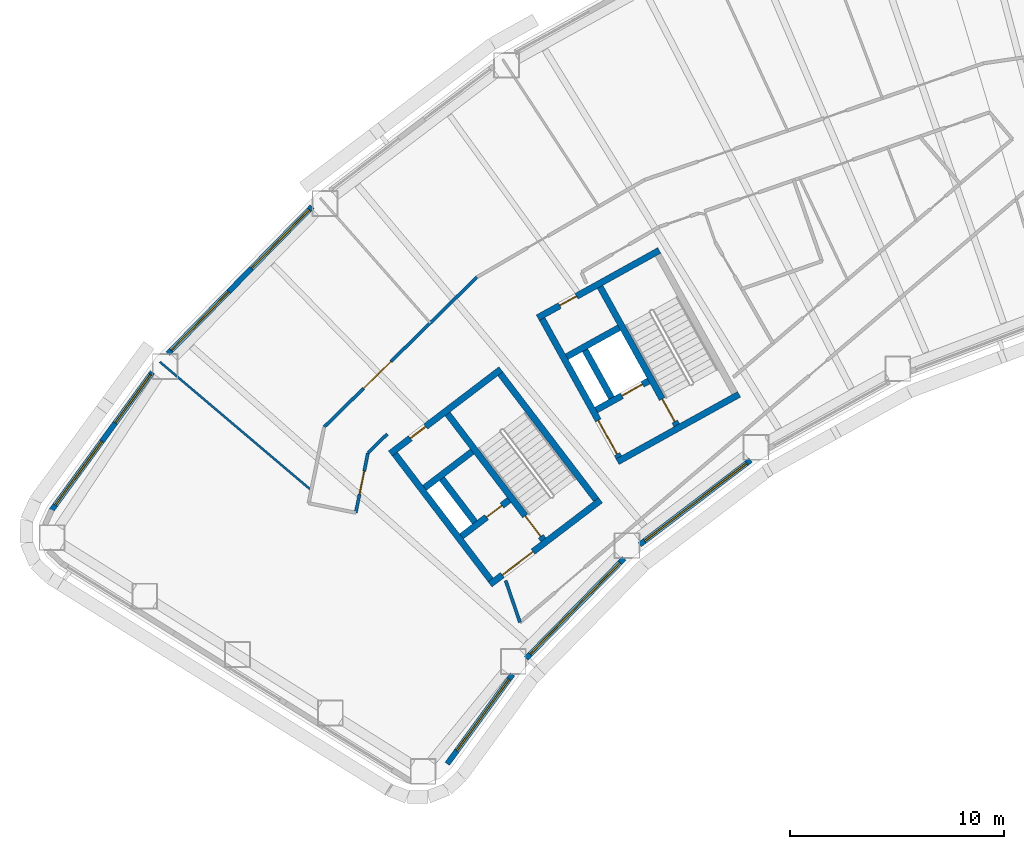
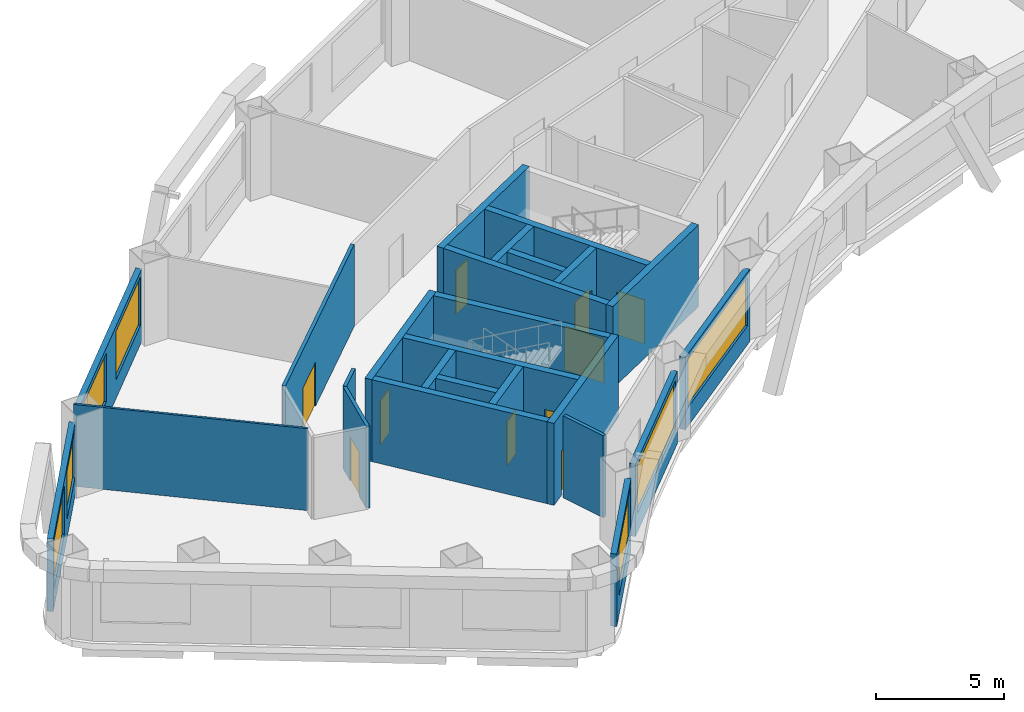
# One storey, part 3 of 15: 25 walls, 10 doors, 7 windows, 17 openings.
"""IFC4 building model written with IfcOpenShell, lengths in metres."""

from ifc_helpers import new_model, si_unit, direction, frame, frame_2d, origin, place, context, subcontext, project, spatial, rectangle, extrude, material, layer, layer_set, type_object, element, fill, save


model = new_model("IFC4")

# Units and contexts
model_context = context("Model", 3, precision=1e-05, world=origin(), true_north=direction((0.0, 1.0)))
body_context = subcontext(model_context, "Body", "Model", "MODEL_VIEW")
ifc_project = project(units=[si_unit("LENGTHUNIT", "METRE"), si_unit("AREAUNIT", "SQUARE_METRE"), si_unit("VOLUMEUNIT", "CUBIC_METRE"), si_unit("PLANEANGLEUNIT", "RADIAN"), si_unit("MASSUNIT", "GRAM", prefix="KILO")], contexts=[model_context])

# Site, building, storey
site_placement = place(None, origin())
site = spatial("IfcSite", under=ifc_project, at=site_placement, CompositionType="ELEMENT")
building_placement = place(site_placement, origin())
building = spatial("IfcBuilding", under=site, at=building_placement, Name="Tuul Gate Civic Tower", CompositionType="ELEMENT")
storey_placement = place(building_placement, frame((0.0, 0.0, 78.0)))
storey = spatial("IfcBuildingStorey", under=building, at=storey_placement, Name="Level 17", CompositionType="ELEMENT", Elevation=78.0)

# Wall, opening, door
ifc_material_1 = material(Name="Concrete C50/60", Category="concrete")
ifc_layer_1 = layer(ifc_material_1, 0.300048828125)
ifc_layer_set_1 = layer_set([ifc_layer_1], Name="Concrete C50/60")
wall_type_1 = type_object("IfcWallType", Name="Core wall C50/60", PredefinedType="SHEAR", material=ifc_layer_set_1)
wall_1_placement = place(storey_placement, frame((-31.19091796875, -13.669677734375, 0.0), z_axis=(0.0, 0.0, 1.0), x_axis=(-0.795606717756, -0.605813461934, 0.0)))
wall_1 = element("IfcWall", 1, at=wall_1_placement, inside=storey, type_object=wall_type_1, Name="Core wall", PredefinedType="SHEAR", context=body_context, shape_type="SweptSolid", body=[
    extrude(rectangle(XDim=6.5, YDim=0.300048828125, at=frame_2d((3.25, 0.0))), origin(), (0.0, 0.0, 1.0), 3.89990234375),
])
opening_1_placement = place(wall_1_placement, frame((3.97509765625, 0.0, 0.0)))
opening_1 = element("IfcOpeningElement", 2, at=opening_1_placement, cuts=wall_1, Name="Opening LB-W1-LOBBY-1", PredefinedType="OPENING", context=body_context, shape_type="SweptSolid", body=[
    extrude(rectangle(XDim=1.800048828125, YDim=2.10009765625, at=frame_2d((0.89990234375, 1.050048828125))), frame((0.0, 0.16015625, 0.0), z_axis=(0.0, -1.0, 0.0), x_axis=(1.0, 0.0, 0.0)), (0.0, 0.0, 1.0), 0.320068359375),
])
ifc_material_2 = material(Name="Steel", Category="steel")
door_type_1 = type_object("IfcDoorType", Name="Lobby door", OperationType="DOUBLE_DOOR_SINGLE_SWING", PredefinedType="DOOR", material=ifc_material_2)
door_1_placement = place(opening_1_placement, origin())
door_1 = element("IfcDoor", 3, at=door_1_placement, inside=storey, type_object=door_type_1, Name="Lobby door W1-LOBBY", OperationType="DOUBLE_DOOR_SINGLE_SWING", OverallHeight=2.10009765625, OverallWidth=1.800048828125, PredefinedType="DOOR", context=body_context, shape_type="SweptSolid", body=[
    extrude(rectangle(XDim=1.800048828125, YDim=2.10009765625, at=frame_2d((0.89990234375, 1.050048828125))), frame((0.0, 0.02490234375, 0.0), z_axis=(0.0, -1.0, 0.0), x_axis=(1.0, 0.0, 0.0)), (0.0, 0.0, 1.0), 0.050048828125),
])
fill(opening_1, door_1)

wall_2_placement = place(storey_placement, frame((-35.470947265625, -13.66064453125, 0.0), z_axis=(0.0, 0.0, 1.0), x_axis=(-0.795615822227, -0.605801504968, 0.0)))
wall_2 = element("IfcWall", 4, at=wall_2_placement, inside=storey, type_object=wall_type_1, Name="Core wall", PredefinedType="SHEAR", context=body_context, shape_type="SweptSolid", body=[
    extrude(rectangle(XDim=2.800048828125, YDim=0.300048828125, at=frame_2d((1.39990234375, 0.0))), origin(), (0.0, 0.0, 1.0), 3.89990234375),
])
opening_2_placement = place(wall_2_placement, frame((0.425048828125, 0.0, 0.0)))
opening_2 = element("IfcOpeningElement", 5, at=opening_2_placement, cuts=wall_2, Name="Opening FB-W1A1", PredefinedType="OPENING", context=body_context, shape_type="SweptSolid", body=[
    extrude(rectangle(XDim=0.89990234375, YDim=2.10009765625, at=frame_2d((0.449951171875, 1.050048828125))), frame((0.0, 0.16015625, 0.0), z_axis=(0.0, -1.0, 0.0), x_axis=(1.0, 0.0, 0.0)), (0.0, 0.0, 1.0), 0.320068359375),
])
ifc_material_3 = material(Name="Steel", Category="steel")
door_type_2 = type_object("IfcDoorType", Name="Store door", OperationType="NOTDEFINED", PredefinedType="DOOR", material=ifc_material_3)
door_2_placement = place(opening_2_placement, frame((0.89990234375, 0.0, 0.0), z_axis=(0.0, 0.0, 1.0), x_axis=(-1.0, 0.0, 0.0)))
door_2 = element("IfcDoor", 6, at=door_2_placement, inside=storey, type_object=door_type_2, Name="Store door W1A1", OperationType="SINGLE_SWING_RIGHT", OverallHeight=2.10009765625, OverallWidth=0.89990234375, PredefinedType="DOOR", context=body_context, shape_type="SweptSolid", body=[
    extrude(rectangle(XDim=0.89990234375, YDim=2.10009765625, at=frame_2d((0.449951171875, 1.050048828125))), frame((0.0, 0.02490234375, 0.0), z_axis=(0.0, -1.0, 0.0), x_axis=(1.0, 0.0, 0.0)), (0.0, 0.0, 1.0), 0.050048828125),
])
fill(opening_2, door_2)

# Wall
wall_3_placement = place(storey_placement, frame((-37.197509765625, -11.39306640625, 0.0), z_axis=(0.0, 0.0, 1.0), x_axis=(-0.795583820278, -0.605843531707, 0.0)))
element("IfcWall", 7, at=wall_3_placement, inside=storey, type_object=wall_type_1, Name="Core wall", PredefinedType="SHEAR", context=body_context, shape_type="SweptSolid", body=[
    extrude(rectangle(XDim=2.7998046875, YDim=0.300048828125, at=frame_2d((1.39990234375, 0.0))), origin(), (0.0, 0.0, 1.0), 3.89990234375),
])

# Wall, opening, door
wall_4_placement = place(storey_placement, frame((-35.855224609375, -7.543212890625, 0.0), z_axis=(0.0, 0.0, 1.0), x_axis=(-0.79563860527, -0.605771582202, 0.0)))
wall_4 = element("IfcWall", 8, at=wall_4_placement, inside=storey, type_object=wall_type_1, Name="Core wall", PredefinedType="SHEAR", context=body_context, shape_type="SweptSolid", body=[
    extrude(rectangle(XDim=6.5, YDim=0.300048828125, at=frame_2d((3.25, 0.0))), origin(), (0.0, 0.0, 1.0), 3.89990234375),
])
opening_3_placement = place(wall_4_placement, frame((4.425048828125, 0.0, 0.0)))
opening_3 = element("IfcOpeningElement", 9, at=opening_3_placement, cuts=wall_4, Name="Opening E-D36", PredefinedType="OPENING", context=body_context, shape_type="SweptSolid", body=[
    extrude(rectangle(XDim=0.89990234375, YDim=2.10009765625, at=frame_2d((0.449951171875, 1.050048828125))), frame((0.0, 0.16015625, 0.0), z_axis=(0.0, -1.0, 0.0), x_axis=(1.0, 0.0, 0.0)), (0.0, 0.0, 1.0), 0.320068359375),
])
ifc_material_4 = material(Name="Timber door leaf", Category="wood")
door_type_3 = type_object("IfcDoorType", Name="Door D09", OperationType="NOTDEFINED", PredefinedType="DOOR", material=ifc_material_4)
door_3_placement = place(opening_3_placement, origin())
door_3 = element("IfcDoor", 10, at=door_3_placement, inside=storey, type_object=door_type_3, Name="Door E-D36", OperationType="SINGLE_SWING_LEFT", OverallHeight=2.10009765625, OverallWidth=0.89990234375, PredefinedType="DOOR", context=body_context, shape_type="SweptSolid", body=[
    extrude(rectangle(XDim=0.89990234375, YDim=2.10009765625, at=frame_2d((0.449951171875, 1.050048828125))), frame((0.0, 0.02490234375, 0.0), z_axis=(0.0, -1.0, 0.0), x_axis=(1.0, 0.0, 0.0)), (0.0, 0.0, 1.0), 0.050048828125),
])
fill(opening_3, door_3)

# Wall
wall_5_placement = place(storey_placement, frame((-31.401123046875, -13.64111328125, 0.0), z_axis=(0.0, 0.0, 1.0), x_axis=(-0.605769822278, 0.795639945213, 0.0)))
element("IfcWall", 11, at=wall_5_placement, inside=storey, type_object=wall_type_1, Name="Core wall", PredefinedType="SHEAR", context=body_context, shape_type="SweptSolid", body=[
    extrude(rectangle(XDim=7.39990234375, YDim=0.300048828125, at=frame_2d((3.699951171875, 0.0))), origin(), (0.0, 0.0, 1.0), 3.89990234375),
])

# Wall, opening, door
wall_6_placement = place(storey_placement, frame((-33.867431640625, -15.51904296875, 0.0), z_axis=(0.0, 0.0, 1.0), x_axis=(-0.605769822278, 0.795639945213, 0.0)))
wall_6 = element("IfcWall", 12, at=wall_6_placement, inside=storey, type_object=wall_type_1, Name="Core wall", PredefinedType="SHEAR", context=body_context, shape_type="SweptSolid", body=[
    extrude(rectangle(XDim=7.39990234375, YDim=0.300048828125, at=frame_2d((3.699951171875, 0.0))), origin(), (0.0, 0.0, 1.0), 3.89990234375),
])
opening_4_placement = place(wall_6_placement, frame((0.199951171875, 0.0, 0.0)))
opening_4 = element("IfcOpeningElement", 13, at=opening_4_placement, cuts=wall_6, Name="Opening SD-ST-1", PredefinedType="OPENING", context=body_context, shape_type="SweptSolid", body=[
    extrude(rectangle(XDim=1.199951171875, YDim=2.10009765625, at=frame_2d((0.60009765625, 1.050048828125))), frame((0.0, 0.16015625, 0.0), z_axis=(0.0, -1.0, 0.0), x_axis=(1.0, 0.0, 0.0)), (0.0, 0.0, 1.0), 0.320068359375),
])
ifc_material_5 = material(Name="Steel", Category="steel")
door_type_4 = type_object("IfcDoorType", Name="Stair door", OperationType="NOTDEFINED", PredefinedType="DOOR", material=ifc_material_5)
door_4_placement = place(opening_4_placement, origin())
door_4 = element("IfcDoor", 14, at=door_4_placement, inside=storey, type_object=door_type_4, Name="Stair door ST-1", OperationType="SINGLE_SWING_LEFT", OverallHeight=2.10009765625, OverallWidth=1.199951171875, PredefinedType="DOOR", context=body_context, shape_type="SweptSolid", body=[
    extrude(rectangle(XDim=1.199951171875, YDim=2.10009765625, at=frame_2d((0.60009765625, 1.050048828125))), frame((0.0, 0.02490234375, 0.0), z_axis=(0.0, -1.0, 0.0), x_axis=(1.0, 0.0, 0.0)), (0.0, 0.0, 1.0), 0.050048828125),
])
fill(opening_4, door_4)

# Walls
wall_7_placement = place(storey_placement, frame((-37.073486328125, -14.6923828125, 0.0), z_axis=(0.0, 0.0, 1.0), x_axis=(-0.605728760074, 0.79567120673, 0.0)))
element("IfcWall", 15, at=wall_7_placement, inside=storey, type_object=wall_type_1, Name="Core wall", PredefinedType="SHEAR", context=body_context, shape_type="SweptSolid", body=[
    extrude(rectangle(XDim=2.550048828125, YDim=0.300048828125, at=frame_2d((1.27490234375, 0.0))), origin(), (0.0, 0.0, 1.0), 3.89990234375),
])
wall_8_placement = place(storey_placement, frame((-36.333984375, -17.397216796875, 0.0), z_axis=(0.0, 0.0, 1.0), x_axis=(-0.605753921168, 0.795652051458, 0.0)))
element("IfcWall", 16, at=wall_8_placement, inside=storey, type_object=wall_type_1, Name="Core wall", PredefinedType="SHEAR", context=body_context, shape_type="SweptSolid", body=[
    extrude(rectangle(XDim=7.400146484375, YDim=0.300048828125, at=frame_2d((3.7001953125, 0.0))), origin(), (0.0, 0.0, 1.0), 3.89990234375),
])
wall_9_placement = place(storey_placement, frame((-24.711669921875, -8.7158203125, 0.0), z_axis=(0.0, 0.0, 1.0), x_axis=(-0.874629909008, -0.484791215132, 0.0)))
element("IfcWall", 17, at=wall_9_placement, inside=storey, type_object=wall_type_1, Name="Core wall", PredefinedType="SHEAR", context=body_context, shape_type="SweptSolid", body=[
    extrude(rectangle(XDim=6.5, YDim=0.300048828125, at=frame_2d((3.25, 0.0))), origin(), (0.0, 0.0, 1.0), 3.89990234375),
])

# Wall, opening, door
wall_10_placement = place(storey_placement, frame((-28.94580078125, -8.090087890625, 0.0), z_axis=(0.0, 0.0, 1.0), x_axis=(-0.874629840737, -0.484791338301, 0.0)))
wall_10 = element("IfcWall", 18, at=wall_10_placement, inside=storey, type_object=wall_type_1, Name="Core wall", PredefinedType="SHEAR", context=body_context, shape_type="SweptSolid", body=[
    extrude(rectangle(XDim=2.800048828125, YDim=0.300048828125, at=frame_2d((1.39990234375, 0.0))), origin(), (0.0, 0.0, 1.0), 3.89990234375),
])
opening_5_placement = place(wall_10_placement, frame((0.324951171875, 0.0, 0.0)))
opening_5 = element("IfcOpeningElement", 19, at=opening_5_placement, cuts=wall_10, Name="Opening LD-FF-1", PredefinedType="OPENING", context=body_context, shape_type="SweptSolid", body=[
    extrude(rectangle(XDim=1.10009765625, YDim=2.10009765625, at=frame_2d((0.550048828125, 1.050048828125))), frame((0.0, 0.16015625, 0.0), z_axis=(0.0, -1.0, 0.0), x_axis=(1.0, 0.0, 0.0)), (0.0, 0.0, 1.0), 0.320068359375),
])
ifc_material_6 = material(Name="Stainless steel", Category="steel")
door_type_5 = type_object("IfcDoorType", Name="Landing door", OperationType="DOUBLE_DOOR_SLIDING", PredefinedType="DOOR", material=ifc_material_6)
door_5_placement = place(opening_5_placement, origin())
door_5 = element("IfcDoor", 20, at=door_5_placement, inside=storey, type_object=door_type_5, Name="Fire-fighting lift FF-1 landing door", OperationType="DOUBLE_DOOR_SLIDING", OverallHeight=2.10009765625, OverallWidth=1.10009765625, PredefinedType="DOOR", context=body_context, shape_type="SweptSolid", body=[
    extrude(rectangle(XDim=1.10009765625, YDim=2.10009765625, at=frame_2d((0.550048828125, 1.050048828125))), frame((0.0, 0.02490234375, 0.0), z_axis=(0.0, -1.0, 0.0), x_axis=(1.0, 0.0, 0.0)), (0.0, 0.0, 1.0), 0.050048828125),
])
fill(opening_5, door_5)

# Wall
wall_11_placement = place(storey_placement, frame((-30.327392578125, -5.59716796875, 0.0), z_axis=(0.0, 0.0, 1.0), x_axis=(-0.874629840737, -0.484791338301, 0.0)))
element("IfcWall", 21, at=wall_11_placement, inside=storey, type_object=wall_type_1, Name="Core wall", PredefinedType="SHEAR", context=body_context, shape_type="SweptSolid", body=[
    extrude(rectangle(XDim=2.800048828125, YDim=0.300048828125, at=frame_2d((1.39990234375, 0.0))), origin(), (0.0, 0.0, 1.0), 3.89990234375),
])

# Wall, opening, door
wall_12_placement = place(storey_placement, frame((-28.4443359375, -1.98095703125, 0.0), z_axis=(0.0, 0.0, 1.0), x_axis=(-0.874629909008, -0.484791215132, 0.0)))
wall_12 = element("IfcWall", 22, at=wall_12_placement, inside=storey, type_object=wall_type_1, Name="Core wall", PredefinedType="SHEAR", context=body_context, shape_type="SweptSolid", body=[
    extrude(rectangle(XDim=6.5, YDim=0.300048828125, at=frame_2d((3.25, 0.0))), origin(), (0.0, 0.0, 1.0), 3.89990234375),
])
opening_6_placement = place(wall_12_placement, frame((4.425048828125, 0.0, 0.0)))
opening_6 = element("IfcOpeningElement", 23, at=opening_6_placement, cuts=wall_12, Name="Opening E-D37", PredefinedType="OPENING", context=body_context, shape_type="SweptSolid", body=[
    extrude(rectangle(XDim=0.89990234375, YDim=2.10009765625, at=frame_2d((0.449951171875, 1.050048828125))), frame((0.0, 0.16015625, 0.0), z_axis=(0.0, -1.0, 0.0), x_axis=(1.0, 0.0, 0.0)), (0.0, 0.0, 1.0), 0.320068359375),
])
door_6_placement = place(opening_6_placement, origin())
door_6 = element("IfcDoor", 24, at=door_6_placement, inside=storey, type_object=door_type_3, Name="Door E-D37", OperationType="SINGLE_SWING_LEFT", OverallHeight=2.10009765625, OverallWidth=0.89990234375, PredefinedType="DOOR", context=body_context, shape_type="SweptSolid", body=[
    extrude(rectangle(XDim=0.89990234375, YDim=2.10009765625, at=frame_2d((0.449951171875, 1.050048828125))), frame((0.0, 0.02490234375, 0.0), z_axis=(0.0, -1.0, 0.0), x_axis=(1.0, 0.0, 0.0)), (0.0, 0.0, 1.0), 0.050048828125),
])
fill(opening_6, door_6)

wall_13_placement = place(storey_placement, frame((-27.626953125, -10.16015625, 0.0), z_axis=(0.0, 0.0, 1.0), x_axis=(-0.484751894226, 0.874651702704, 0.0)))
wall_13 = element("IfcWall", 25, at=wall_13_placement, inside=storey, type_object=wall_type_1, Name="Core wall", PredefinedType="SHEAR", context=body_context, shape_type="SweptSolid", body=[
    extrude(rectangle(XDim=7.39990234375, YDim=0.300048828125, at=frame_2d((3.699951171875, 0.0))), origin(), (0.0, 0.0, 1.0), 3.89990234375),
])
opening_7_placement = place(wall_13_placement, frame((0.199951171875, 0.0, 0.0)))
opening_7 = element("IfcOpeningElement", 26, at=opening_7_placement, cuts=wall_13, Name="Opening SD-ST-2", PredefinedType="OPENING", context=body_context, shape_type="SweptSolid", body=[
    extrude(rectangle(XDim=1.199951171875, YDim=2.10009765625, at=frame_2d((0.60009765625, 1.050048828125))), frame((0.0, 0.16015625, 0.0), z_axis=(0.0, -1.0, 0.0), x_axis=(1.0, 0.0, 0.0)), (0.0, 0.0, 1.0), 0.320068359375),
])
door_7_placement = place(opening_7_placement, origin())
door_7 = element("IfcDoor", 27, at=door_7_placement, inside=storey, type_object=door_type_4, Name="Stair door ST-2", OperationType="SINGLE_SWING_LEFT", OverallHeight=2.10009765625, OverallWidth=1.199951171875, PredefinedType="DOOR", context=body_context, shape_type="SweptSolid", body=[
    extrude(rectangle(XDim=1.199951171875, YDim=2.10009765625, at=frame_2d((0.60009765625, 1.050048828125))), frame((0.0, 0.02490234375, 0.0), z_axis=(0.0, -1.0, 0.0), x_axis=(1.0, 0.0, 0.0)), (0.0, 0.0, 1.0), 0.050048828125),
])
fill(opening_7, door_7)

# Wall
wall_14_placement = place(storey_placement, frame((-30.680419921875, -8.8798828125, 0.0), z_axis=(0.0, 0.0, 1.0), x_axis=(-0.484724115216, 0.874667097888, 0.0)))
element("IfcWall", 28, at=wall_14_placement, inside=storey, type_object=wall_type_1, Name="Core wall", PredefinedType="SHEAR", context=body_context, shape_type="SweptSolid", body=[
    extrude(rectangle(XDim=2.550048828125, YDim=0.300048828125, at=frame_2d((1.27490234375, 0.0))), origin(), (0.0, 0.0, 1.0), 3.89990234375),
])

# Wall, opening, door
wall_15_placement = place(storey_placement, frame((-30.33837890625, -11.6630859375, 0.0), z_axis=(0.0, 0.0, 1.0), x_axis=(-0.484751894226, 0.874651702704, 0.0)))
wall_15 = element("IfcWall", 29, at=wall_15_placement, inside=storey, type_object=wall_type_1, Name="Core wall", PredefinedType="SHEAR", context=body_context, shape_type="SweptSolid", body=[
    extrude(rectangle(XDim=7.39990234375, YDim=0.300048828125, at=frame_2d((3.699951171875, 0.0))), origin(), (0.0, 0.0, 1.0), 3.89990234375),
])
opening_8_placement = place(wall_15_placement, frame((0.175048828125, 0.0, 0.0)))
opening_8 = element("IfcOpeningElement", 30, at=opening_8_placement, cuts=wall_15, Name="Opening LB-W2-FLOBBY-1", PredefinedType="OPENING", context=body_context, shape_type="SweptSolid", body=[
    extrude(rectangle(XDim=1.800048828125, YDim=2.10009765625, at=frame_2d((0.89990234375, 1.050048828125))), frame((0.0, 0.16015625, 0.0), z_axis=(0.0, -1.0, 0.0), x_axis=(1.0, 0.0, 0.0)), (0.0, 0.0, 1.0), 0.320068359375),
])
door_8_placement = place(opening_8_placement, origin())
door_8 = element("IfcDoor", 31, at=door_8_placement, inside=storey, type_object=door_type_1, Name="Lobby door W2-FLOBBY", OperationType="DOUBLE_DOOR_SINGLE_SWING", OverallHeight=2.10009765625, OverallWidth=1.800048828125, PredefinedType="DOOR", context=body_context, shape_type="SweptSolid", body=[
    extrude(rectangle(XDim=1.800048828125, YDim=2.10009765625, at=frame_2d((0.89990234375, 1.050048828125))), frame((0.0, 0.02490234375, 0.0), z_axis=(0.0, -1.0, 0.0), x_axis=(1.0, 0.0, 0.0)), (0.0, 0.0, 1.0), 0.050048828125),
])
fill(opening_8, door_8)

ifc_material_7 = material(Name="Gypsum board partition")
ifc_layer_2 = layer(ifc_material_7, 0.14990234375)
ifc_layer_set_2 = layer_set([ifc_layer_2], Name="Gypsum board partition")
wall_type_2 = type_object("IfcWallType", Name="Corridor wall P150", PredefinedType="PARTITIONING", material=ifc_layer_set_2)
wall_16_placement = place(storey_placement, frame((-44.1259765625, -10.24560546875, 0.0), z_axis=(0.0, 0.0, 1.0), x_axis=(0.713912699322, 0.700234716182, 0.0)))
wall_16 = element("IfcWall", 32, at=wall_16_placement, inside=storey, type_object=wall_type_2, Name="p041", PredefinedType="PARTITIONING", context=body_context, shape_type="SweptSolid", body=[
    extrude(rectangle(XDim=10.013427734375, YDim=0.14990234375, at=frame_2d((5.0068359375, 0.0))), origin(), (0.0, 0.0, 1.0), 3.89990234375),
])
opening_9_placement = place(wall_16_placement, frame((2.579833984375, 0.0, 0.0)))
opening_9 = element("IfcOpeningElement", 33, at=opening_9_placement, cuts=wall_16, Name="Opening E-D14", PredefinedType="OPENING", context=body_context, shape_type="SweptSolid", body=[
    extrude(rectangle(XDim=1.800048828125, YDim=2.10009765625, at=frame_2d((0.89990234375, 1.050048828125))), frame((0.0, 0.0849609375, 0.0), z_axis=(0.0, -1.0, 0.0), x_axis=(1.0, 0.0, 0.0)), (0.0, 0.0, 1.0), 0.169921875),
])
ifc_material_8 = material(Name="Timber door leaf, double", Category="wood")
door_type_6 = type_object("IfcDoorType", Name="Door D18", OperationType="DOUBLE_DOOR_SINGLE_SWING", PredefinedType="DOOR", material=ifc_material_8)
door_9_placement = place(opening_9_placement, origin())
door_9 = element("IfcDoor", 34, at=door_9_placement, inside=storey, type_object=door_type_6, Name="Door E-D14", OperationType="DOUBLE_DOOR_SINGLE_SWING", OverallHeight=2.10009765625, OverallWidth=1.800048828125, PredefinedType="DOOR", context=body_context, shape_type="SweptSolid", body=[
    extrude(rectangle(XDim=1.800048828125, YDim=2.10009765625, at=frame_2d((0.89990234375, 1.050048828125))), frame((0.0, 0.02490234375, 0.0), z_axis=(0.0, -1.0, 0.0), x_axis=(1.0, 0.0, 0.0)), (0.0, 0.0, 1.0), 0.050048828125),
])
fill(opening_9, door_9)

wall_17_placement = place(storey_placement, frame((-42.647216796875, -14.257080078125, 0.0), z_axis=(0.0, 0.0, 1.0), x_axis=(0.199748918876, 0.979847115324, 0.0)))
wall_17 = element("IfcWall", 35, at=wall_17_placement, inside=storey, type_object=wall_type_2, Name="p055", PredefinedType="PARTITIONING", context=body_context, shape_type="SweptSolid", body=[
    extrude(rectangle(XDim=2.855224609375, YDim=0.14990234375, at=frame_2d((1.427734375, 0.0))), origin(), (0.0, 0.0, 1.0), 3.89990234375),
])
opening_10_placement = place(wall_17_placement, frame((0.877685546875, 0.0, 0.0)))
opening_10 = element("IfcOpeningElement", 36, at=opening_10_placement, cuts=wall_17, Name="Opening E-D31", PredefinedType="OPENING", context=body_context, shape_type="SweptSolid", body=[
    extrude(rectangle(XDim=1.10009765625, YDim=2.10009765625, at=frame_2d((0.550048828125, 1.050048828125))), frame((0.0, 0.0849609375, 0.0), z_axis=(0.0, -1.0, 0.0), x_axis=(1.0, 0.0, 0.0)), (0.0, 0.0, 1.0), 0.169921875),
])
ifc_material_9 = material(Name="Timber door leaf", Category="wood")
door_type_7 = type_object("IfcDoorType", Name="Door D11", OperationType="NOTDEFINED", PredefinedType="DOOR", material=ifc_material_9)
door_10_placement = place(opening_10_placement, frame((1.10009765625, 0.0, 0.0), z_axis=(0.0, 0.0, 1.0), x_axis=(-1.0, 0.0, 0.0)))
door_10 = element("IfcDoor", 37, at=door_10_placement, inside=storey, type_object=door_type_7, Name="Door E-D31", OperationType="SINGLE_SWING_LEFT", OverallHeight=2.10009765625, OverallWidth=1.10009765625, PredefinedType="DOOR", context=body_context, shape_type="SweptSolid", body=[
    extrude(rectangle(XDim=1.10009765625, YDim=2.10009765625, at=frame_2d((0.550048828125, 1.050048828125))), frame((0.0, 0.02490234375, 0.0), z_axis=(0.0, -1.0, 0.0), x_axis=(1.0, 0.0, 0.0)), (0.0, 0.0, 1.0), 0.050048828125),
])
fill(opening_10, door_10)

# Walls
wall_18_placement = place(storey_placement, frame((-42.072509765625, -11.452880859375, 0.0), z_axis=(0.0, 0.0, 1.0), x_axis=(0.714924725221, 0.69920142825, 0.0)))
element("IfcWall", 38, at=wall_18_placement, inside=storey, type_object=wall_type_2, Name="p056", PredefinedType="PARTITIONING", context=body_context, shape_type="SweptSolid", body=[
    extrude(rectangle(XDim=1.2578125, YDim=0.14990234375, at=frame_2d((0.62890625, 0.0))), origin(), (0.0, 0.0, 1.0), 3.89990234375),
])
wall_19_placement = place(storey_placement, frame((-35.6328125, -17.428955078125, 0.0), z_axis=(0.0, 0.0, 1.0), x_axis=(0.324318294095, -0.945948013432, 0.0)))
element("IfcWall", 39, at=wall_19_placement, inside=storey, type_object=wall_type_2, Name="p057", PredefinedType="PARTITIONING", context=body_context, shape_type="SweptSolid", body=[
    extrude(rectangle(XDim=2.070068359375, YDim=0.14990234375, at=frame_2d((1.03515625, 0.0))), origin(), (0.0, 0.0, 1.0), 3.89990234375),
])

# Wall, openings, windows
ifc_material_10 = material(Name="Precast concrete C40/50", Category="concrete")
ifc_layer_3 = layer(ifc_material_10, 0.25)
ifc_layer_set_3 = layer_set([ifc_layer_3], Name="Precast concrete C40/50")
wall_type_3 = type_object("IfcWallType", Name="External wall", PredefinedType="STANDARD", material=ifc_layer_set_3)
wall_20_placement = place(storey_placement, frame((-44.68896484375, 0.068359375, 0.0), z_axis=(0.0, 0.0, 1.0), x_axis=(-0.700037194481, -0.714106383072, 0.0)))
wall_20 = element("IfcWall", 40, at=wall_20_placement, inside=storey, type_object=wall_type_3, Name="External wall", PredefinedType="STANDARD", context=body_context, shape_type="SweptSolid", body=[
    extrude(rectangle(XDim=9.630859375, YDim=0.25, at=frame_2d((4.8154296875, 0.0))), origin(), (0.0, 0.0, 1.0), 3.449951171875),
])
opening_11_placement = place(wall_20_placement, frame((0.203125, 0.0, 0.89990234375)))
opening_11 = element("IfcOpeningElement", 41, at=opening_11_placement, cuts=wall_20, Name="Opening W22", PredefinedType="OPENING", context=body_context, shape_type="SweptSolid", body=[
    extrude(rectangle(XDim=3.85009765625, YDim=2.300048828125, at=frame_2d((1.925048828125, 1.14990234375))), frame((0.0, 0.135009765625, 0.0), z_axis=(0.0, -1.0, 0.0), x_axis=(1.0, 0.0, 0.0)), (0.0, 0.0, 1.0), 0.27001953125),
])
opening_12_placement = place(wall_20_placement, frame((5.57421875, 0.0, 0.89990234375)))
opening_12 = element("IfcOpeningElement", 42, at=opening_12_placement, cuts=wall_20, Name="Opening W22", PredefinedType="OPENING", context=body_context, shape_type="SweptSolid", body=[
    extrude(rectangle(XDim=3.85009765625, YDim=2.300048828125, at=frame_2d((1.925048828125, 1.14990234375))), frame((0.0, 0.135009765625, 0.0), z_axis=(0.0, -1.0, 0.0), x_axis=(1.0, 0.0, 0.0)), (0.0, 0.0, 1.0), 0.27001953125),
])
ifc_material_11 = material(Name="Glass", Category="glass")
window_type_1 = type_object("IfcWindowType", Name="Window W22 3850 x 2300", PartitioningType="SINGLE_PANEL", PredefinedType="WINDOW", material=ifc_material_11)
window_1_placement = place(opening_11_placement, origin())
window_1 = element("IfcWindow", 43, at=window_1_placement, inside=storey, type_object=window_type_1, Name="Window", OverallHeight=2.300048828125, OverallWidth=3.85009765625, PartitioningType="SINGLE_PANEL", PredefinedType="WINDOW", context=body_context, shape_type="SweptSolid", body=[
    extrude(rectangle(XDim=3.85009765625, YDim=2.300048828125, at=frame_2d((1.925048828125, 1.14990234375))), frame((0.0, 0.030029296875, 0.0), z_axis=(0.0, -1.0, 0.0), x_axis=(1.0, 0.0, 0.0)), (0.0, 0.0, 1.0), 0.06005859375),
])
fill(opening_11, window_1)
window_2_placement = place(opening_12_placement, origin())
window_2 = element("IfcWindow", 44, at=window_2_placement, inside=storey, type_object=window_type_1, Name="Window", OverallHeight=2.300048828125, OverallWidth=3.85009765625, PartitioningType="SINGLE_PANEL", PredefinedType="WINDOW", context=body_context, shape_type="SweptSolid", body=[
    extrude(rectangle(XDim=3.85009765625, YDim=2.300048828125, at=frame_2d((1.925048828125, 1.14990234375))), frame((0.0, 0.030029296875, 0.0), z_axis=(0.0, -1.0, 0.0), x_axis=(1.0, 0.0, 0.0)), (0.0, 0.0, 1.0), 0.06005859375),
])
fill(opening_12, window_2)

wall_21_placement = place(storey_placement, frame((-52.1640625, -7.679443359375, 0.0), z_axis=(0.0, 0.0, 1.0), x_axis=(-0.589758648629, -0.807579554204, 0.0)))
wall_21 = element("IfcWall", 45, at=wall_21_placement, inside=storey, type_object=wall_type_3, Name="External wall", PredefinedType="STANDARD", context=body_context, shape_type="SweptSolid", body=[
    extrude(rectangle(XDim=7.998291015625, YDim=0.25, at=frame_2d((3.9990234375, 0.0))), origin(), (0.0, 0.0, 1.0), 3.449951171875),
])
opening_13_placement = place(wall_21_placement, frame((0.145751953125, 0.0, 0.89990234375)))
opening_13 = element("IfcOpeningElement", 46, at=opening_13_placement, cuts=wall_21, Name="Opening W23", PredefinedType="OPENING", context=body_context, shape_type="SweptSolid", body=[
    extrude(rectangle(XDim=2.800048828125, YDim=2.300048828125, at=frame_2d((1.39990234375, 1.14990234375))), frame((0.0, 0.135009765625, 0.0), z_axis=(0.0, -1.0, 0.0), x_axis=(1.0, 0.0, 0.0)), (0.0, 0.0, 1.0), 0.27001953125),
])
opening_14_placement = place(wall_21_placement, frame((3.997314453125, 0.0, 0.89990234375)))
opening_14 = element("IfcOpeningElement", 47, at=opening_14_placement, cuts=wall_21, Name="Opening W21", PredefinedType="OPENING", context=body_context, shape_type="SweptSolid", body=[
    extrude(rectangle(XDim=3.699951171875, YDim=2.300048828125, at=frame_2d((1.85009765625, 1.14990234375))), frame((0.0, 0.135009765625, 0.0), z_axis=(0.0, -1.0, 0.0), x_axis=(1.0, 0.0, 0.0)), (0.0, 0.0, 1.0), 0.27001953125),
])
ifc_material_12 = material(Name="Glass", Category="glass")
window_type_2 = type_object("IfcWindowType", Name="Window W21 3700 x 2300", PartitioningType="SINGLE_PANEL", PredefinedType="WINDOW", material=ifc_material_12)
window_3_placement = place(opening_14_placement, origin())
window_3 = element("IfcWindow", 48, at=window_3_placement, inside=storey, type_object=window_type_2, Name="Window", OverallHeight=2.300048828125, OverallWidth=3.699951171875, PartitioningType="SINGLE_PANEL", PredefinedType="WINDOW", context=body_context, shape_type="SweptSolid", body=[
    extrude(rectangle(XDim=3.699951171875, YDim=2.300048828125, at=frame_2d((1.85009765625, 1.14990234375))), frame((0.0, 0.030029296875, 0.0), z_axis=(0.0, -1.0, 0.0), x_axis=(1.0, 0.0, 0.0)), (0.0, 0.0, 1.0), 0.06005859375),
])
fill(opening_14, window_3)
ifc_material_13 = material(Name="Glass", Category="glass")
window_type_3 = type_object("IfcWindowType", Name="Window W23 2800 x 2300", PartitioningType="SINGLE_PANEL", PredefinedType="WINDOW", material=ifc_material_13)
window_4_placement = place(opening_13_placement, origin())
window_4 = element("IfcWindow", 49, at=window_4_placement, inside=storey, type_object=window_type_3, Name="Window", OverallHeight=2.300048828125, OverallWidth=2.800048828125, PartitioningType="SINGLE_PANEL", PredefinedType="WINDOW", context=body_context, shape_type="SweptSolid", body=[
    extrude(rectangle(XDim=2.800048828125, YDim=2.300048828125, at=frame_2d((1.39990234375, 1.14990234375))), frame((0.0, 0.030029296875, 0.0), z_axis=(0.0, -1.0, 0.0), x_axis=(1.0, 0.0, 0.0)), (0.0, 0.0, 1.0), 0.06005859375),
])
fill(opening_13, window_4)

# Wall, opening, window
wall_22_placement = place(storey_placement, frame((-38.364990234375, -26.002197265625, 0.0), z_axis=(0.0, 0.0, 1.0), x_axis=(0.589773184558, 0.807568938715, 0.0)))
wall_22 = element("IfcWall", 50, at=wall_22_placement, inside=storey, type_object=wall_type_3, Name="External wall", PredefinedType="STANDARD", context=body_context, shape_type="SweptSolid", body=[
    extrude(rectangle(XDim=5.18115234375, YDim=0.25, at=frame_2d((2.590576171875, 0.0))), origin(), (0.0, 0.0, 1.0), 3.449951171875),
])
opening_15_placement = place(wall_22_placement, frame((0.75244140625, 0.0, 0.89990234375)))
opening_15 = element("IfcOpeningElement", 51, at=opening_15_placement, cuts=wall_22, Name="Opening W25", PredefinedType="OPENING", context=body_context, shape_type="SweptSolid", body=[
    extrude(rectangle(XDim=4.14990234375, YDim=2.300048828125, at=frame_2d((2.074951171875, 1.14990234375))), frame((0.0, 0.135009765625, 0.0), z_axis=(0.0, -1.0, 0.0), x_axis=(1.0, 0.0, 0.0)), (0.0, 0.0, 1.0), 0.27001953125),
])
ifc_material_14 = material(Name="Glass", Category="glass")
window_type_4 = type_object("IfcWindowType", Name="Window W25 4150 x 2300", PartitioningType="SINGLE_PANEL", PredefinedType="WINDOW", material=ifc_material_14)
window_5_placement = place(opening_15_placement, origin())
window_5 = element("IfcWindow", 52, at=window_5_placement, inside=storey, type_object=window_type_4, Name="Window", OverallHeight=2.300048828125, OverallWidth=4.14990234375, PartitioningType="SINGLE_PANEL", PredefinedType="WINDOW", context=body_context, shape_type="SweptSolid", body=[
    extrude(rectangle(XDim=4.14990234375, YDim=2.300048828125, at=frame_2d((2.074951171875, 1.14990234375))), frame((0.0, 0.030029296875, 0.0), z_axis=(0.0, -1.0, 0.0), x_axis=(1.0, 0.0, 0.0)), (0.0, 0.0, 1.0), 0.06005859375),
])
fill(opening_15, window_5)

wall_23_placement = place(storey_placement, frame((-34.673095703125, -21.0693359375, 0.0), z_axis=(0.0, 0.0, 1.0), x_axis=(0.700096771337, 0.714047975114, 0.0)))
wall_23 = element("IfcWall", 53, at=wall_23_placement, inside=storey, type_object=wall_type_3, Name="External wall", PredefinedType="STANDARD", context=body_context, shape_type="SweptSolid", body=[
    extrude(rectangle(XDim=6.544921875, YDim=0.25, at=frame_2d((3.2724609375, 0.0))), origin(), (0.0, 0.0, 1.0), 3.449951171875),
])
opening_16_placement = place(wall_23_placement, frame((0.269775390625, 0.0, 0.89990234375)))
opening_16 = element("IfcOpeningElement", 54, at=opening_16_placement, cuts=wall_23, Name="Opening W26", PredefinedType="OPENING", context=body_context, shape_type="SweptSolid", body=[
    extrude(rectangle(XDim=6.0, YDim=2.300048828125, at=frame_2d((3.0, 1.14990234375))), frame((0.0, 0.135009765625, 0.0), z_axis=(0.0, -1.0, 0.0), x_axis=(1.0, 0.0, 0.0)), (0.0, 0.0, 1.0), 0.27001953125),
])
ifc_material_15 = material(Name="Glass", Category="glass")
window_type_5 = type_object("IfcWindowType", Name="Window W26 6000 x 2300", PartitioningType="SINGLE_PANEL", PredefinedType="WINDOW", material=ifc_material_15)
window_6_placement = place(opening_16_placement, origin())
window_6 = element("IfcWindow", 55, at=window_6_placement, inside=storey, type_object=window_type_5, Name="Window", OverallHeight=2.300048828125, OverallWidth=6.0, PartitioningType="SINGLE_PANEL", PredefinedType="WINDOW", context=body_context, shape_type="SweptSolid", body=[
    extrude(rectangle(XDim=6.0, YDim=2.300048828125, at=frame_2d((3.0, 1.14990234375))), frame((0.0, 0.030029296875, 0.0), z_axis=(0.0, -1.0, 0.0), x_axis=(1.0, 0.0, 0.0)), (0.0, 0.0, 1.0), 0.06005859375),
])
fill(opening_16, window_6)

wall_24_placement = place(storey_placement, frame((-29.35791015625, -15.747802734375, 0.0), z_axis=(0.0, 0.0, 1.0), x_axis=(0.7955846747, 0.605842409694, 0.0)))
wall_24 = element("IfcWall", 56, at=wall_24_placement, inside=storey, type_object=wall_type_3, Name="External wall", PredefinedType="STANDARD", context=body_context, shape_type="SweptSolid", body=[
    extrude(rectangle(XDim=6.52099609375, YDim=0.25, at=frame_2d((3.260498046875, 0.0))), origin(), (0.0, 0.0, 1.0), 3.449951171875),
])
opening_17_placement = place(wall_24_placement, frame((0.28857421875, 0.0, 0.89990234375)))
opening_17 = element("IfcOpeningElement", 57, at=opening_17_placement, cuts=wall_24, Name="Opening W26", PredefinedType="OPENING", context=body_context, shape_type="SweptSolid", body=[
    extrude(rectangle(XDim=6.0, YDim=2.300048828125, at=frame_2d((3.0, 1.14990234375))), frame((0.0, 0.135009765625, 0.0), z_axis=(0.0, -1.0, 0.0), x_axis=(1.0, 0.0, 0.0)), (0.0, 0.0, 1.0), 0.27001953125),
])
window_7_placement = place(opening_17_placement, origin())
window_7 = element("IfcWindow", 58, at=window_7_placement, inside=storey, type_object=window_type_5, Name="Window", OverallHeight=2.300048828125, OverallWidth=6.0, PartitioningType="SINGLE_PANEL", PredefinedType="WINDOW", context=body_context, shape_type="SweptSolid", body=[
    extrude(rectangle(XDim=6.0, YDim=2.300048828125, at=frame_2d((3.0, 1.14990234375))), frame((0.0, 0.030029296875, 0.0), z_axis=(0.0, -1.0, 0.0), x_axis=(1.0, 0.0, 0.0)), (0.0, 0.0, 1.0), 0.06005859375),
])
fill(opening_17, window_7)

# Wall
ifc_material_16 = material(Name="Gypsum board partition")
ifc_layer_4 = layer(ifc_material_16, 0.10009765625)
ifc_layer_set_4 = layer_set([ifc_layer_4], Name="Gypsum board partition")
wall_type_4 = type_object("IfcWallType", Name="Partition P100", PredefinedType="PARTITIONING", material=ifc_layer_set_4)
wall_25_placement = place(storey_placement, frame((-51.81640625, -7.19482421875, 0.0), z_axis=(0.0, 0.0, 1.0), x_axis=(0.762837824893, -0.646589864529, 0.0)))
element("IfcWall", 59, at=wall_25_placement, inside=storey, type_object=wall_type_4, Name="p042", PredefinedType="PARTITIONING", context=body_context, shape_type="SweptSolid", body=[
    extrude(rectangle(XDim=9.291259765625, YDim=0.10009765625, at=frame_2d((4.6455078125, 0.0))), origin(), (0.0, 0.0, 1.0), 3.89990234375),
])

save(model, "model.ifc")
